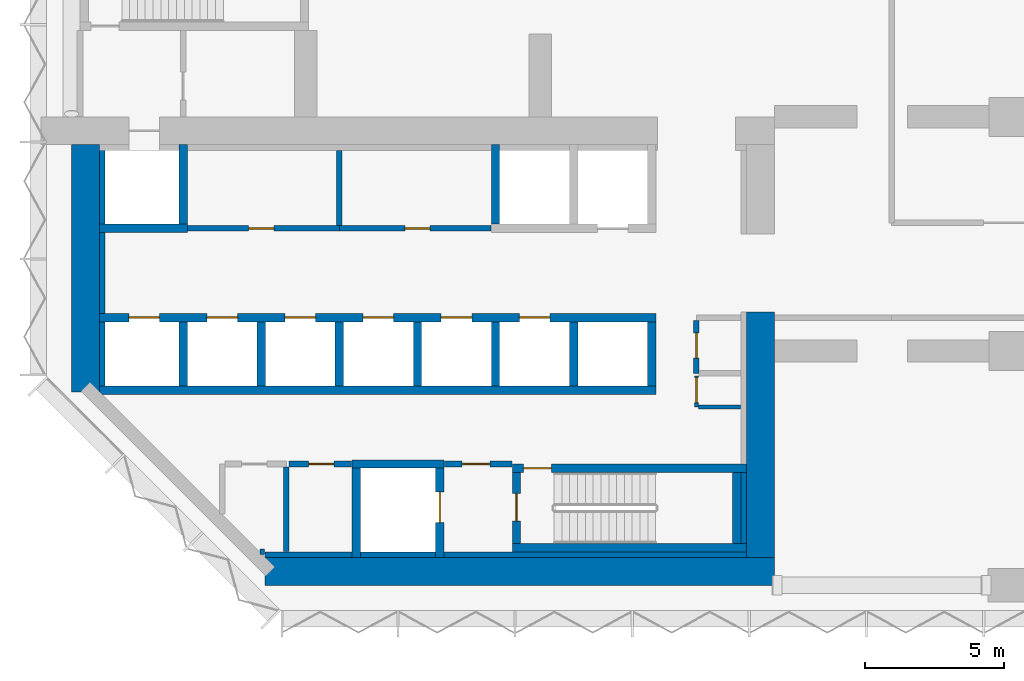
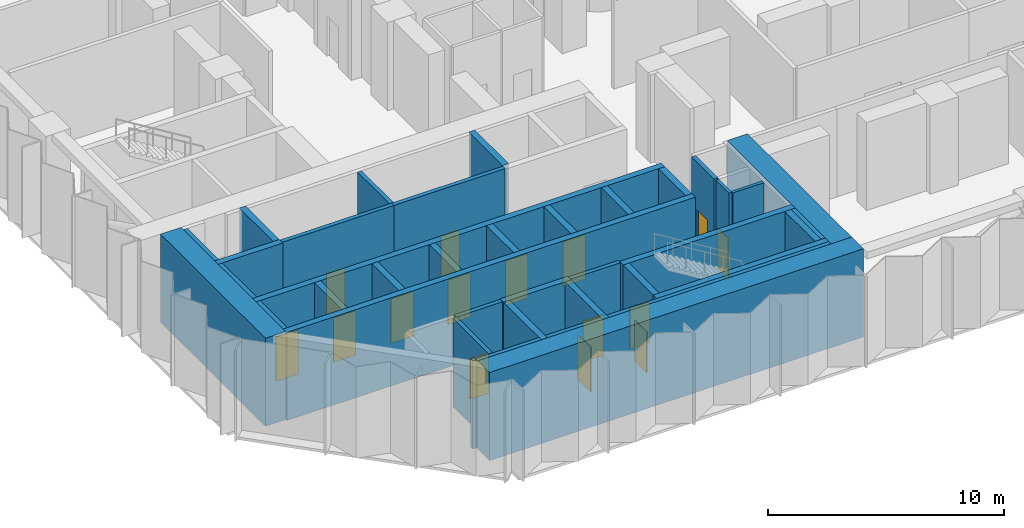
# One storey, part 9 of 18: 39 walls, 15 doors, 15 openings.
"""IFC4 building model written with IfcOpenShell, lengths in metres."""

from ifc_helpers import new_model, si_unit, direction, frame, frame_2d, origin, place, context, subcontext, project, spatial, rectangle, extrude, material, layer, layer_set, type_object, element, fill, save


model = new_model("IFC4")

# Units and contexts
model_context = context("Model", 3, precision=1e-05, world=origin(), true_north=direction((0.0, 1.0)))
body_context = subcontext(model_context, "Body", "Model", "MODEL_VIEW")
ifc_project = project(units=[si_unit("LENGTHUNIT", "METRE"), si_unit("AREAUNIT", "SQUARE_METRE"), si_unit("VOLUMEUNIT", "CUBIC_METRE"), si_unit("PLANEANGLEUNIT", "RADIAN"), si_unit("MASSUNIT", "GRAM", prefix="KILO")], contexts=[model_context])

# Site, building, storey
site_placement = place(None, origin())
site = spatial("IfcSite", under=ifc_project, at=site_placement, CompositionType="ELEMENT")
building_placement = place(site_placement, origin())
building = spatial("IfcBuilding", under=site, at=building_placement, Name="Brevane Broadcast Tower", CompositionType="ELEMENT")
storey_placement = place(building_placement, frame((0.0, 0.0, 86.89990234375)))
storey = spatial("IfcBuildingStorey", under=building, at=storey_placement, Name="L20", CompositionType="ELEMENT", Elevation=86.89990234375)

# Walls
ifc_material_1 = material(Name="Concrete C32/40", Category="concrete")
ifc_layer_1 = layer(ifc_material_1, 0.199951171875)
ifc_layer_set_1 = layer_set([ifc_layer_1], Name="Core chase wall 200 mm")
wall_type_1 = type_object("IfcWallType", Name="Core chase wall 200 mm", PredefinedType="PARTITIONING", material=ifc_layer_set_1)
wall_1_placement = place(storey_placement, frame((1.10009765625, 7.14990234375, 0.0), z_axis=(0.0, 0.0, 1.0), x_axis=(0.0, 1.0, 0.0)))
element("IfcWall", 1, at=wall_1_placement, inside=storey, type_object=wall_type_1, Name="L20 chase wall LW-2-1", PredefinedType="PARTITIONING", context=body_context, shape_type="SweptSolid", body=[
    extrude(rectangle(XDim=2.300048828125, YDim=0.199951171875, at=frame_2d((1.14990234375, 0.0))), origin(), (0.0, 0.0, 1.0), 4.550048828125),
])
wall_2_placement = place(storey_placement, frame((1.10009765625, 9.75, 0.0), z_axis=(0.0, 0.0, 1.0), x_axis=(0.0, 1.0, 0.0)))
element("IfcWall", 2, at=wall_2_placement, inside=storey, type_object=wall_type_1, Name="L20 chase wall LW-2-2-1", PredefinedType="PARTITIONING", context=body_context, shape_type="SweptSolid", body=[
    extrude(rectangle(XDim=2.89990234375, YDim=0.199951171875, at=frame_2d((1.449951171875, 0.0))), origin(), (0.0, 0.0, 1.0), 4.550048828125),
])
wall_3_placement = place(storey_placement, frame((1.10009765625, 12.949951171875, 0.0), z_axis=(0.0, 0.0, 1.0), x_axis=(0.0, 1.0, 0.0)))
element("IfcWall", 3, at=wall_3_placement, inside=storey, type_object=wall_type_1, Name="L20 chase wall LW-2-2-2", PredefinedType="PARTITIONING", context=body_context, shape_type="SweptSolid", body=[
    extrude(rectangle(XDim=2.650146484375, YDim=0.199951171875, at=frame_2d((1.3251953125, 0.0))), origin(), (0.0, 0.0, 1.0), 4.550048828125),
])
wall_4_placement = place(storey_placement, frame((6.936279296875, 1.10009765625, 0.0), z_axis=(0.0, 0.0, 1.0), x_axis=(1.0, 0.0, 0.0)))
element("IfcWall", 4, at=wall_4_placement, inside=storey, type_object=wall_type_1, Name="L20 chase wall LS-1", PredefinedType="PARTITIONING", context=body_context, shape_type="SweptSolid", body=[
    extrude(rectangle(XDim=3.11376953125, YDim=0.199951171875, at=frame_2d((1.556884765625, 0.0))), origin(), (0.0, 0.0, 1.0), 4.550048828125),
])
wall_5_placement = place(storey_placement, frame((10.35009765625, 1.10009765625, 0.0), z_axis=(0.0, 0.0, 1.0), x_axis=(1.0, 0.0, 0.0)))
element("IfcWall", 5, at=wall_5_placement, inside=storey, type_object=wall_type_1, Name="L20 chase wall LS-2-1", PredefinedType="PARTITIONING", context=body_context, shape_type="SweptSolid", body=[
    extrude(rectangle(XDim=2.699951171875, YDim=0.199951171875, at=frame_2d((1.35009765625, 0.0))), origin(), (0.0, 0.0, 1.0), 4.550048828125),
])
wall_6_placement = place(storey_placement, frame((13.35009765625, 1.10009765625, 0.0), z_axis=(0.0, 0.0, 1.0), x_axis=(1.0, 0.0, 0.0)))
element("IfcWall", 6, at=wall_6_placement, inside=storey, type_object=wall_type_1, Name="L20 chase wall LS-2-2", PredefinedType="PARTITIONING", context=body_context, shape_type="SweptSolid", body=[
    extrude(rectangle(XDim=10.849853515625, YDim=0.199951171875, at=frame_2d((5.4248046875, 0.0))), origin(), (0.0, 0.0, 1.0), 4.550048828125),
])
wall_7_placement = place(storey_placement, frame((24.10009765625, 1.5, 0.0), z_axis=(0.0, 0.0, 1.0), x_axis=(0.0, 1.0, 0.0)))
element("IfcWall", 7, at=wall_7_placement, inside=storey, type_object=wall_type_1, Name="L20 chase wall LE1-2-1", PredefinedType="PARTITIONING", context=body_context, shape_type="SweptSolid", body=[
    extrude(rectangle(XDim=2.550048828125, YDim=0.199951171875, at=frame_2d((1.27490234375, 0.0))), origin(), (0.0, 0.0, 1.0), 4.550048828125),
])

# Wall, opening, door
ifc_material_2 = material(Name="Gypsum board on steel studs", Category="steel")
ifc_layer_2 = layer(ifc_material_2, 0.14990234375)
ifc_layer_set_2 = layer_set([ifc_layer_2], Name="Core fire partition 150 mm")
wall_type_2 = type_object("IfcWallType", Name="Core fire partition 150 mm", PredefinedType="PARTITIONING", material=ifc_layer_set_2)
wall_8_placement = place(storey_placement, frame((22.39990234375, 7.5, 0.0), z_axis=(0.0, 0.0, 1.0), x_axis=(0.0, -1.0, 0.0)))
wall_8 = element("IfcWall", 8, at=wall_8_placement, inside=storey, type_object=wall_type_2, Name="L20 partition wall P22", PredefinedType="PARTITIONING", context=body_context, shape_type="SweptSolid", body=[
    extrude(rectangle(XDim=1.10009765625, YDim=0.14990234375, at=frame_2d((0.550048828125, 0.0))), origin(), (0.0, 0.0, 1.0), 4.550048828125),
])
opening_1_placement = place(wall_8_placement, frame((0.050048828125, 0.0, 0.0)))
opening_1 = element("IfcOpeningElement", 9, at=opening_1_placement, cuts=wall_8, Name="Opening L20-K19", PredefinedType="OPENING", context=body_context, shape_type="SweptSolid", body=[
    extrude(rectangle(XDim=0.89990234375, YDim=2.10009765625, at=frame_2d((0.449951171875, 1.050048828125))), frame((0.0, 0.0849609375, 0.0), z_axis=(0.0, -1.0, 0.0), x_axis=(1.0, 0.0, 0.0)), (0.0, 0.0, 1.0), 0.169921875),
])
ifc_material_3 = material(Name="Steel", Category="steel")
door_type_1 = type_object("IfcDoorType", Name="Service room door 900 x 2100", OperationType="SINGLE_SWING_LEFT", PredefinedType="DOOR", material=ifc_material_3)
door_1_placement = place(opening_1_placement, origin())
door_1 = element("IfcDoor", 10, at=door_1_placement, inside=storey, type_object=door_type_1, Name="Door L20-K19", OperationType="SINGLE_SWING_LEFT", OverallHeight=2.10009765625, OverallWidth=0.89990234375, PredefinedType="DOOR", context=body_context, shape_type="SweptSolid", body=[
    extrude(rectangle(XDim=0.89990234375, YDim=2.10009765625, at=frame_2d((0.449951171875, 1.050048828125))), frame((0.0, 0.02490234375, 0.0), z_axis=(0.0, -1.0, 0.0), x_axis=(1.0, 0.0, 0.0)), (0.0, 0.0, 1.0), 0.050048828125),
])
fill(opening_1, door_1)

# Wall
wall_9_placement = place(storey_placement, frame((22.47509765625, 6.39990234375, 0.0), z_axis=(0.0, 0.0, 1.0), x_axis=(1.0, 0.0, 0.0)))
element("IfcWall", 11, at=wall_9_placement, inside=storey, type_object=wall_type_2, Name="L20 partition wall P23", PredefinedType="PARTITIONING", context=body_context, shape_type="SweptSolid", body=[
    extrude(rectangle(XDim=1.512939453125, YDim=0.14990234375, at=frame_2d((0.75634765625, 0.0))), origin(), (0.0, 0.0, 1.0), 4.550048828125),
])

# Wall, opening, door
ifc_layer_3 = layer(ifc_material_2, 0.199951171875)
ifc_layer_set_3 = layer_set([ifc_layer_3], Name="Core fire partition 200 mm")
wall_type_3 = type_object("IfcWallType", Name="Core fire partition 200 mm", PredefinedType="PARTITIONING", material=ifc_layer_set_3)
wall_10_placement = place(storey_placement, frame((13.362060546875, 4.35009765625, 0.0), z_axis=(0.0, 0.0, 1.0), x_axis=(1.0, 0.0, 0.0)))
wall_10 = element("IfcWall", 12, at=wall_10_placement, inside=storey, type_object=wall_type_3, Name="L20 partition wall P03", PredefinedType="PARTITIONING", context=body_context, shape_type="SweptSolid", body=[
    extrude(rectangle(XDim=2.426025390625, YDim=0.199951171875, at=frame_2d((1.212890625, 0.0))), origin(), (0.0, 0.0, 1.0), 4.550048828125),
])
opening_2_placement = place(wall_10_placement, frame((0.637939453125, 0.0, 0.0)))
opening_2 = element("IfcOpeningElement", 13, at=opening_2_placement, cuts=wall_10, Name="Opening L20-K18", PredefinedType="OPENING", context=body_context, shape_type="SweptSolid", body=[
    extrude(rectangle(XDim=1.0, YDim=2.10009765625, at=frame_2d((0.5, 1.050048828125))), frame((0.0, 0.10986328125, 0.0), z_axis=(0.0, -1.0, 0.0), x_axis=(1.0, 0.0, 0.0)), (0.0, 0.0, 1.0), 0.219970703125),
])
door_type_2 = type_object("IfcDoorType", Name="Stair door 1000 x 2100", OperationType="SINGLE_SWING_LEFT", PredefinedType="DOOR", material=ifc_material_3)
door_2_placement = place(opening_2_placement, origin())
door_2 = element("IfcDoor", 14, at=door_2_placement, inside=storey, type_object=door_type_2, Name="Door L20-K18", OperationType="SINGLE_SWING_RIGHT", OverallHeight=2.10009765625, OverallWidth=1.0, PredefinedType="DOOR", context=body_context, shape_type="SweptSolid", body=[
    extrude(rectangle(XDim=1.0, YDim=2.10009765625, at=frame_2d((0.5, 1.050048828125))), frame((0.0, 0.02490234375, 0.0), z_axis=(0.0, -1.0, 0.0), x_axis=(1.0, 0.0, 0.0)), (0.0, 0.0, 1.0), 0.050048828125),
])
fill(opening_2, door_2)

wall_11_placement = place(storey_placement, frame((4.162109375, 12.800048828125, 0.0), z_axis=(0.0, 0.0, 1.0), x_axis=(1.0, 0.0, 0.0)))
wall_11 = element("IfcWall", 15, at=wall_11_placement, inside=storey, type_object=wall_type_3, Name="L20 partition wall P04", PredefinedType="PARTITIONING", context=body_context, shape_type="SweptSolid", body=[
    extrude(rectangle(XDim=5.43798828125, YDim=0.199951171875, at=frame_2d((2.718994140625, 0.0))), origin(), (0.0, 0.0, 1.0), 4.550048828125),
])
opening_3_placement = place(wall_11_placement, frame((2.18798828125, 0.0, 0.0)))
opening_3 = element("IfcOpeningElement", 16, at=opening_3_placement, cuts=wall_11, Name="Opening L20-K21", PredefinedType="OPENING", context=body_context, shape_type="SweptSolid", body=[
    extrude(rectangle(XDim=0.89990234375, YDim=2.10009765625, at=frame_2d((0.449951171875, 1.050048828125))), frame((0.0, 0.10986328125, 0.0), z_axis=(0.0, -1.0, 0.0), x_axis=(1.0, 0.0, 0.0)), (0.0, 0.0, 1.0), 0.219970703125),
])
door_3_placement = place(opening_3_placement, origin())
door_3 = element("IfcDoor", 17, at=door_3_placement, inside=storey, type_object=door_type_1, Name="Door L20-K21", OperationType="SINGLE_SWING_LEFT", OverallHeight=2.10009765625, OverallWidth=0.89990234375, PredefinedType="DOOR", context=body_context, shape_type="SweptSolid", body=[
    extrude(rectangle(XDim=0.89990234375, YDim=2.10009765625, at=frame_2d((0.449951171875, 1.050048828125))), frame((0.0, 0.02490234375, 0.0), z_axis=(0.0, -1.0, 0.0), x_axis=(1.0, 0.0, 0.0)), (0.0, 0.0, 1.0), 0.050048828125),
])
fill(opening_3, door_3)

# Walls
wall_12_placement = place(storey_placement, frame((7.699951171875, 4.25, 0.0), z_axis=(0.0, 0.0, 1.0), x_axis=(0.0, -1.0, 0.0)))
element("IfcWall", 18, at=wall_12_placement, inside=storey, type_object=wall_type_3, Name="L20 partition wall P07", PredefinedType="PARTITIONING", context=body_context, shape_type="SweptSolid", body=[
    extrude(rectangle(XDim=3.0380859375, YDim=0.199951171875, at=frame_2d((1.51904296875, 0.0))), origin(), (0.0, 0.0, 1.0), 4.550048828125),
])
wall_13_placement = place(storey_placement, frame((6.92431640625, 1.199951171875, 0.0), z_axis=(0.0, 0.0, 1.0), x_axis=(-1.0, 0.0, 0.0)))
element("IfcWall", 19, at=wall_13_placement, inside=storey, type_object=wall_type_3, Name="L20 partition wall P08", PredefinedType="PARTITIONING", context=body_context, shape_type="SweptSolid", body=[
    extrude(rectangle(XDim=0.1708984375, YDim=0.199951171875, at=frame_2d((0.08544921875, 0.0))), origin(), (0.0, 0.0, 1.0), 4.550048828125),
])

# Wall, opening, door
wall_14_placement = place(storey_placement, frame((10.0380859375, 4.35009765625, 0.0), z_axis=(0.0, 0.0, 1.0), x_axis=(-1.0, 0.0, 0.0)))
wall_14 = element("IfcWall", 20, at=wall_14_placement, inside=storey, type_object=wall_type_3, Name="L20 partition wall P09", PredefinedType="PARTITIONING", context=body_context, shape_type="SweptSolid", body=[
    extrude(rectangle(XDim=2.238037109375, YDim=0.199951171875, at=frame_2d((1.119140625, 0.0))), origin(), (0.0, 0.0, 1.0), 4.550048828125),
])
opening_4_placement = place(wall_14_placement, frame((0.637939453125, 0.0, 0.0)))
opening_4 = element("IfcOpeningElement", 21, at=opening_4_placement, cuts=wall_14, Name="Opening L20-K17", PredefinedType="OPENING", context=body_context, shape_type="SweptSolid", body=[
    extrude(rectangle(XDim=0.89990234375, YDim=2.10009765625, at=frame_2d((0.449951171875, 1.050048828125))), frame((0.0, 0.10986328125, 0.0), z_axis=(0.0, -1.0, 0.0), x_axis=(1.0, 0.0, 0.0)), (0.0, 0.0, 1.0), 0.219970703125),
])
door_4_placement = place(opening_4_placement, origin())
door_4 = element("IfcDoor", 22, at=door_4_placement, inside=storey, type_object=door_type_1, Name="Door L20-K17", OperationType="SINGLE_SWING_LEFT", OverallHeight=2.10009765625, OverallWidth=0.89990234375, PredefinedType="DOOR", context=body_context, shape_type="SweptSolid", body=[
    extrude(rectangle(XDim=0.89990234375, YDim=2.10009765625, at=frame_2d((0.449951171875, 1.050048828125))), frame((0.0, 0.02490234375, 0.0), z_axis=(0.0, -1.0, 0.0), x_axis=(1.0, 0.0, 0.0)), (0.0, 0.0, 1.0), 0.050048828125),
])
fill(opening_4, door_4)

wall_15_placement = place(storey_placement, frame((9.60009765625, 12.800048828125, 0.0), z_axis=(0.0, 0.0, 1.0), x_axis=(1.0, 0.0, 0.0)))
wall_15 = element("IfcWall", 23, at=wall_15_placement, inside=storey, type_object=wall_type_3, Name="L20 partition wall P10", PredefinedType="PARTITIONING", context=body_context, shape_type="SweptSolid", body=[
    extrude(rectangle(XDim=5.43798828125, YDim=0.199951171875, at=frame_2d((2.718994140625, 0.0))), origin(), (0.0, 0.0, 1.0), 4.550048828125),
])
opening_5_placement = place(wall_15_placement, frame((2.35009765625, 0.0, 0.0)))
opening_5 = element("IfcOpeningElement", 24, at=opening_5_placement, cuts=wall_15, Name="Opening L20-K22", PredefinedType="OPENING", context=body_context, shape_type="SweptSolid", body=[
    extrude(rectangle(XDim=0.89990234375, YDim=2.10009765625, at=frame_2d((0.449951171875, 1.050048828125))), frame((0.0, 0.10986328125, 0.0), z_axis=(0.0, -1.0, 0.0), x_axis=(1.0, 0.0, 0.0)), (0.0, 0.0, 1.0), 0.219970703125),
])
door_5_placement = place(opening_5_placement, origin())
door_5 = element("IfcDoor", 25, at=door_5_placement, inside=storey, type_object=door_type_1, Name="Door L20-K22", OperationType="SINGLE_SWING_RIGHT", OverallHeight=2.10009765625, OverallWidth=0.89990234375, PredefinedType="DOOR", context=body_context, shape_type="SweptSolid", body=[
    extrude(rectangle(XDim=0.89990234375, YDim=2.10009765625, at=frame_2d((0.449951171875, 1.050048828125))), frame((0.0, 0.02490234375, 0.0), z_axis=(0.0, -1.0, 0.0), x_axis=(1.0, 0.0, 0.0)), (0.0, 0.0, 1.0), 0.050048828125),
])
fill(opening_5, door_5)

# Wall
wall_16_placement = place(storey_placement, frame((9.60009765625, 15.587890625, 0.0), z_axis=(0.0, 0.0, 1.0), x_axis=(0.0, -1.0, 0.0)))
element("IfcWall", 26, at=wall_16_placement, inside=storey, type_object=wall_type_3, Name="L20 partition wall P11", PredefinedType="PARTITIONING", context=body_context, shape_type="SweptSolid", body=[
    extrude(rectangle(XDim=2.68798828125, YDim=0.199951171875, at=frame_2d((1.343994140625, 0.0))), origin(), (0.0, 0.0, 1.0), 4.550048828125),
])

# Wall, opening, door
wall_17_placement = place(storey_placement, frame((22.39990234375, 9.5, 0.0), z_axis=(0.0, 0.0, 1.0), x_axis=(0.0, -1.0, 0.0)))
wall_17 = element("IfcWall", 27, at=wall_17_placement, inside=storey, type_object=wall_type_3, Name="L20 partition wall P13", PredefinedType="PARTITIONING", context=body_context, shape_type="SweptSolid", body=[
    extrude(rectangle(XDim=1.89990234375, YDim=0.199951171875, at=frame_2d((0.949951171875, 0.0))), origin(), (0.0, 0.0, 1.0), 4.550048828125),
])
opening_6_placement = place(wall_17_placement, frame((0.449951171875, 0.0, 0.0)))
opening_6 = element("IfcOpeningElement", 28, at=opening_6_placement, cuts=wall_17, Name="Opening L20-K20", PredefinedType="OPENING", context=body_context, shape_type="SweptSolid", body=[
    extrude(rectangle(XDim=0.89990234375, YDim=2.10009765625, at=frame_2d((0.449951171875, 1.050048828125))), frame((0.0, 0.10986328125, 0.0), z_axis=(0.0, -1.0, 0.0), x_axis=(1.0, 0.0, 0.0)), (0.0, 0.0, 1.0), 0.219970703125),
])
door_6_placement = place(opening_6_placement, origin())
door_6 = element("IfcDoor", 29, at=door_6_placement, inside=storey, type_object=door_type_1, Name="Door L20-K20", OperationType="SINGLE_SWING_RIGHT", OverallHeight=2.10009765625, OverallWidth=0.89990234375, PredefinedType="DOOR", context=body_context, shape_type="SweptSolid", body=[
    extrude(rectangle(XDim=0.89990234375, YDim=2.10009765625, at=frame_2d((0.449951171875, 1.050048828125))), frame((0.0, 0.02490234375, 0.0), z_axis=(0.0, -1.0, 0.0), x_axis=(1.0, 0.0, 0.0)), (0.0, 0.0, 1.0), 0.050048828125),
])
fill(opening_6, door_6)

# Walls
ifc_material_4 = material(Name="Concrete C80/95", Category="concrete")
ifc_layer_4 = layer(ifc_material_4, 1.0)
ifc_layer_set_4 = layer_set([ifc_layer_4], Name="Core wall 1000 mm C80/95")
wall_type_4 = type_object("IfcWallType", Name="Core wall 1000 mm C80/95", PredefinedType="SHEAR", material=ifc_layer_set_4)
wall_18_placement = place(storey_placement, frame((6.936279296875, 0.5, 0.0), z_axis=(0.0, 0.0, 1.0), x_axis=(1.0, 0.0, 0.0)))
element("IfcWall", 30, at=wall_18_placement, inside=storey, type_object=wall_type_4, Name="L20 outer wall WS", PredefinedType="SHEAR", context=body_context, shape_type="SweptSolid", body=[
    extrude(rectangle(XDim=18.263671875, YDim=1.0, at=frame_2d((9.1318359375, 0.0))), origin(), (0.0, 0.0, 1.0), 4.550048828125),
])
wall_19_placement = place(storey_placement, frame((0.5, 6.936279296875, 0.0), z_axis=(0.0, 0.0, 1.0), x_axis=(0.0, 1.0, 0.0)))
element("IfcWall", 31, at=wall_19_placement, inside=storey, type_object=wall_type_4, Name="L20 outer wall WW", PredefinedType="SHEAR", context=body_context, shape_type="SweptSolid", body=[
    extrude(rectangle(XDim=8.86376953125, YDim=1.0, at=frame_2d((4.431884765625, 0.0))), origin(), (0.0, 0.0, 1.0), 4.550048828125),
])
wall_20_placement = place(storey_placement, frame((24.699951171875, 1.0, 0.0), z_axis=(0.0, 0.0, 1.0), x_axis=(0.0, 1.0, 0.0)))
element("IfcWall", 32, at=wall_20_placement, inside=storey, type_object=wall_type_4, Name="L20 outer wall WE1", PredefinedType="SHEAR", context=body_context, shape_type="SweptSolid", body=[
    extrude(rectangle(XDim=8.800048828125, YDim=1.0, at=frame_2d((4.39990234375, 0.0))), origin(), (0.0, 0.0, 1.0), 4.550048828125),
])
ifc_layer_5 = layer(ifc_material_4, 0.300048828125)
ifc_layer_set_5 = layer_set([ifc_layer_5], Name="Core wall 300 mm C80/95")
wall_type_5 = type_object("IfcWallType", Name="Core wall 300 mm C80/95", PredefinedType="SHEAR", material=ifc_layer_set_5)
wall_21_placement = place(storey_placement, frame((1.0, 7.0, 0.0), z_axis=(0.0, 0.0, 1.0), x_axis=(1.0, 0.0, 0.0)))
element("IfcWall", 33, at=wall_21_placement, inside=storey, type_object=wall_type_5, Name="L20 shaft wall SH-S012-back", PredefinedType="SHEAR", context=body_context, shape_type="SweptSolid", body=[
    extrude(rectangle(XDim=19.949951171875, YDim=0.300048828125, at=frame_2d((9.97509765625, 0.0))), origin(), (0.0, 0.0, 1.0), 4.550048828125),
])

# Wall, openings, doors
wall_22_placement = place(storey_placement, frame((1.0, 9.60009765625, 0.0), z_axis=(0.0, 0.0, 1.0), x_axis=(1.0, 0.0, 0.0)))
wall_22 = element("IfcWall", 34, at=wall_22_placement, inside=storey, type_object=wall_type_5, Name="L20 shaft wall SH-S012-front", PredefinedType="SHEAR", context=body_context, shape_type="SweptSolid", body=[
    extrude(rectangle(XDim=19.949951171875, YDim=0.300048828125, at=frame_2d((9.97509765625, 0.0))), origin(), (0.0, 0.0, 1.0), 4.550048828125),
])
opening_7_placement = place(wall_22_placement, frame((1.050048828125, 0.0, 0.0)))
opening_7 = element("IfcOpeningElement", 35, at=opening_7_placement, cuts=wall_22, Name="Opening LD", PredefinedType="OPENING", context=body_context, shape_type="SweptSolid", body=[
    extrude(rectangle(XDim=1.10009765625, YDim=2.300048828125, at=frame_2d((0.550048828125, 1.14990234375))), frame((0.0, 0.159912109375, 0.0), z_axis=(0.0, -1.0, 0.0), x_axis=(1.0, 0.0, 0.0)), (0.0, 0.0, 1.0), 0.320068359375),
])
opening_8_placement = place(wall_22_placement, frame((3.85009765625, 0.0, 0.0)))
opening_8 = element("IfcOpeningElement", 36, at=opening_8_placement, cuts=wall_22, Name="Opening LD", PredefinedType="OPENING", context=body_context, shape_type="SweptSolid", body=[
    extrude(rectangle(XDim=1.10009765625, YDim=2.300048828125, at=frame_2d((0.550048828125, 1.14990234375))), frame((0.0, 0.159912109375, 0.0), z_axis=(0.0, -1.0, 0.0), x_axis=(1.0, 0.0, 0.0)), (0.0, 0.0, 1.0), 0.320068359375),
])
opening_9_placement = place(wall_22_placement, frame((6.64990234375, 0.0, 0.0)))
opening_9 = element("IfcOpeningElement", 37, at=opening_9_placement, cuts=wall_22, Name="Opening LD", PredefinedType="OPENING", context=body_context, shape_type="SweptSolid", body=[
    extrude(rectangle(XDim=1.10009765625, YDim=2.300048828125, at=frame_2d((0.550048828125, 1.14990234375))), frame((0.0, 0.159912109375, 0.0), z_axis=(0.0, -1.0, 0.0), x_axis=(1.0, 0.0, 0.0)), (0.0, 0.0, 1.0), 0.320068359375),
])
opening_10_placement = place(wall_22_placement, frame((9.449951171875, 0.0, 0.0)))
opening_10 = element("IfcOpeningElement", 38, at=opening_10_placement, cuts=wall_22, Name="Opening LD", PredefinedType="OPENING", context=body_context, shape_type="SweptSolid", body=[
    extrude(rectangle(XDim=1.10009765625, YDim=2.300048828125, at=frame_2d((0.550048828125, 1.14990234375))), frame((0.0, 0.159912109375, 0.0), z_axis=(0.0, -1.0, 0.0), x_axis=(1.0, 0.0, 0.0)), (0.0, 0.0, 1.0), 0.320068359375),
])
opening_11_placement = place(wall_22_placement, frame((12.25, 0.0, 0.0)))
opening_11 = element("IfcOpeningElement", 39, at=opening_11_placement, cuts=wall_22, Name="Opening LD", PredefinedType="OPENING", context=body_context, shape_type="SweptSolid", body=[
    extrude(rectangle(XDim=1.10009765625, YDim=2.300048828125, at=frame_2d((0.550048828125, 1.14990234375))), frame((0.0, 0.159912109375, 0.0), z_axis=(0.0, -1.0, 0.0), x_axis=(1.0, 0.0, 0.0)), (0.0, 0.0, 1.0), 0.320068359375),
])
opening_12_placement = place(wall_22_placement, frame((15.050048828125, 0.0, 0.0)))
opening_12 = element("IfcOpeningElement", 40, at=opening_12_placement, cuts=wall_22, Name="Opening LD", PredefinedType="OPENING", context=body_context, shape_type="SweptSolid", body=[
    extrude(rectangle(XDim=1.10009765625, YDim=2.300048828125, at=frame_2d((0.550048828125, 1.14990234375))), frame((0.0, 0.159912109375, 0.0), z_axis=(0.0, -1.0, 0.0), x_axis=(1.0, 0.0, 0.0)), (0.0, 0.0, 1.0), 0.320068359375),
])
ifc_material_5 = material(Name="Stainless steel", Category="steel")
door_type_3 = type_object("IfcDoorType", Name="Lift landing door", OperationType="SLIDING_TO_LEFT", PredefinedType="DOOR", material=ifc_material_5)
door_7_placement = place(opening_7_placement, origin())
door_7 = element("IfcDoor", 41, at=door_7_placement, inside=storey, type_object=door_type_3, Name="Landing door LR1 L20", OperationType="SLIDING_TO_LEFT", OverallHeight=2.300048828125, OverallWidth=1.10009765625, PredefinedType="DOOR", context=body_context, shape_type="SweptSolid", body=[
    extrude(rectangle(XDim=1.10009765625, YDim=2.300048828125, at=frame_2d((0.550048828125, 1.14990234375))), frame((0.0, 0.02490234375, 0.0), z_axis=(0.0, -1.0, 0.0), x_axis=(1.0, 0.0, 0.0)), (0.0, 0.0, 1.0), 0.050048828125),
])
fill(opening_7, door_7)
door_8_placement = place(opening_8_placement, origin())
door_8 = element("IfcDoor", 42, at=door_8_placement, inside=storey, type_object=door_type_3, Name="Landing door LR2 L20", OperationType="SLIDING_TO_LEFT", OverallHeight=2.300048828125, OverallWidth=1.10009765625, PredefinedType="DOOR", context=body_context, shape_type="SweptSolid", body=[
    extrude(rectangle(XDim=1.10009765625, YDim=2.300048828125, at=frame_2d((0.550048828125, 1.14990234375))), frame((0.0, 0.02490234375, 0.0), z_axis=(0.0, -1.0, 0.0), x_axis=(1.0, 0.0, 0.0)), (0.0, 0.0, 1.0), 0.050048828125),
])
fill(opening_8, door_8)
door_9_placement = place(opening_9_placement, origin())
door_9 = element("IfcDoor", 43, at=door_9_placement, inside=storey, type_object=door_type_3, Name="Landing door LR3 L20", OperationType="SLIDING_TO_LEFT", OverallHeight=2.300048828125, OverallWidth=1.10009765625, PredefinedType="DOOR", context=body_context, shape_type="SweptSolid", body=[
    extrude(rectangle(XDim=1.10009765625, YDim=2.300048828125, at=frame_2d((0.550048828125, 1.14990234375))), frame((0.0, 0.02490234375, 0.0), z_axis=(0.0, -1.0, 0.0), x_axis=(1.0, 0.0, 0.0)), (0.0, 0.0, 1.0), 0.050048828125),
])
fill(opening_9, door_9)
door_10_placement = place(opening_10_placement, origin())
door_10 = element("IfcDoor", 44, at=door_10_placement, inside=storey, type_object=door_type_3, Name="Landing door LR4 L20", OperationType="SLIDING_TO_LEFT", OverallHeight=2.300048828125, OverallWidth=1.10009765625, PredefinedType="DOOR", context=body_context, shape_type="SweptSolid", body=[
    extrude(rectangle(XDim=1.10009765625, YDim=2.300048828125, at=frame_2d((0.550048828125, 1.14990234375))), frame((0.0, 0.02490234375, 0.0), z_axis=(0.0, -1.0, 0.0), x_axis=(1.0, 0.0, 0.0)), (0.0, 0.0, 1.0), 0.050048828125),
])
fill(opening_10, door_10)
door_11_placement = place(opening_11_placement, origin())
door_11 = element("IfcDoor", 45, at=door_11_placement, inside=storey, type_object=door_type_3, Name="Landing door LR5 L20", OperationType="SLIDING_TO_LEFT", OverallHeight=2.300048828125, OverallWidth=1.10009765625, PredefinedType="DOOR", context=body_context, shape_type="SweptSolid", body=[
    extrude(rectangle(XDim=1.10009765625, YDim=2.300048828125, at=frame_2d((0.550048828125, 1.14990234375))), frame((0.0, 0.02490234375, 0.0), z_axis=(0.0, -1.0, 0.0), x_axis=(1.0, 0.0, 0.0)), (0.0, 0.0, 1.0), 0.050048828125),
])
fill(opening_11, door_11)
door_12_placement = place(opening_12_placement, origin())
door_12 = element("IfcDoor", 46, at=door_12_placement, inside=storey, type_object=door_type_3, Name="Landing door LR6 L20", OperationType="SLIDING_TO_LEFT", OverallHeight=2.300048828125, OverallWidth=1.10009765625, PredefinedType="DOOR", context=body_context, shape_type="SweptSolid", body=[
    extrude(rectangle(XDim=1.10009765625, YDim=2.300048828125, at=frame_2d((0.550048828125, 1.14990234375))), frame((0.0, 0.02490234375, 0.0), z_axis=(0.0, -1.0, 0.0), x_axis=(1.0, 0.0, 0.0)), (0.0, 0.0, 1.0), 0.050048828125),
])
fill(opening_12, door_12)

# Walls
for number, where, z_axis, x_axis, name in (
    (47, (4.0, 7.14990234375, 0.0), (0.0, 0.0, 1.0), (0.0, 1.0, 0.0), "L20 shaft wall SH-S-P040"),
    (48, (6.800048828125, 7.14990234375, 0.0), (0.0, 0.0, 1.0), (0.0, 1.0, 0.0), "L20 shaft wall SH-S-P068"),
    (49, (9.60009765625, 7.14990234375, 0.0), (0.0, 0.0, 1.0), (0.0, 1.0, 0.0), "L20 shaft wall SH-S-P096"),
    (50, (12.39990234375, 7.14990234375, 0.0), (0.0, 0.0, 1.0), (0.0, 1.0, 0.0), "L20 shaft wall SH-S-P124"),
    (51, (15.199951171875, 7.14990234375, 0.0), (0.0, 0.0, 1.0), (0.0, 1.0, 0.0), "L20 shaft wall SH-S-P152"),
    (52, (18.0, 7.14990234375, 0.0), (0.0, 0.0, 1.0), (0.0, 1.0, 0.0), "L20 shaft wall SH-S-P180"),
    (53, (20.800048828125, 7.14990234375, 0.0), (0.0, 0.0, 1.0), (0.0, 1.0, 0.0), "L20 shaft wall SH-S-P208"),
):
    element("IfcWall", number, at=place(storey_placement, frame(where, z_axis=z_axis, x_axis=x_axis)), inside=storey, type_object=wall_type_5, Name=name, PredefinedType="SHEAR", context=body_context, shape_type="SweptSolid", body=[
        extrude(rectangle(XDim=2.300048828125, YDim=0.300048828125, at=frame_2d((1.14990234375, 0.0))), origin(), (0.0, 0.0, 1.0), 4.550048828125),
    ])
wall_23_placement = place(storey_placement, frame((1.0, 12.800048828125, 0.0), z_axis=(0.0, 0.0, 1.0), x_axis=(1.0, 0.0, 0.0)))
element("IfcWall", 54, at=wall_23_placement, inside=storey, type_object=wall_type_5, Name="L20 shaft wall SH-N012-front", PredefinedType="SHEAR", context=body_context, shape_type="SweptSolid", body=[
    extrude(rectangle(XDim=3.14990234375, YDim=0.300048828125, at=frame_2d((1.574951171875, 0.0))), origin(), (0.0, 0.0, 1.0), 4.550048828125),
])
for number, where, z_axis, x_axis, name in (
    (55, (4.0, 12.949951171875, 0.0), (0.0, 0.0, 1.0), (0.0, 1.0, 0.0), "L20 shaft wall SH-N-P040"),
    (56, (15.199951171875, 12.949951171875, 0.0), (0.0, 0.0, 1.0), (0.0, 1.0, 0.0), "L20 shaft wall SH-N-P152"),
):
    element("IfcWall", number, at=place(storey_placement, frame(where, z_axis=z_axis, x_axis=x_axis)), inside=storey, type_object=wall_type_5, Name=name, PredefinedType="SHEAR", context=body_context, shape_type="SweptSolid", body=[
        extrude(rectangle(XDim=2.85009765625, YDim=0.300048828125, at=frame_2d((1.425048828125, 0.0))), origin(), (0.0, 0.0, 1.0), 4.550048828125),
    ])
wall_24_placement = place(storey_placement, frame((10.199951171875, 1.0, 0.0), z_axis=(0.0, 0.0, 1.0), x_axis=(0.0, 1.0, 0.0)))
element("IfcWall", 57, at=wall_24_placement, inside=storey, type_object=wall_type_5, Name="L20 shaft wall FF2-W", PredefinedType="SHEAR", context=body_context, shape_type="SweptSolid", body=[
    extrude(rectangle(XDim=3.199951171875, YDim=0.300048828125, at=frame_2d((1.60009765625, 0.0))), origin(), (0.0, 0.0, 1.0), 4.550048828125),
])

# Wall, opening, door
wall_25_placement = place(storey_placement, frame((13.199951171875, 1.0, 0.0), z_axis=(0.0, 0.0, 1.0), x_axis=(0.0, 1.0, 0.0)))
wall_25 = element("IfcWall", 58, at=wall_25_placement, inside=storey, type_object=wall_type_5, Name="L20 shaft wall FF2-E", PredefinedType="SHEAR", context=body_context, shape_type="SweptSolid", body=[
    extrude(rectangle(XDim=3.199951171875, YDim=0.300048828125, at=frame_2d((1.60009765625, 0.0))), origin(), (0.0, 0.0, 1.0), 4.550048828125),
])
opening_13_placement = place(wall_25_placement, frame((1.25, 0.0, 0.0)))
opening_13 = element("IfcOpeningElement", 59, at=opening_13_placement, cuts=wall_25, Name="Opening LD", PredefinedType="OPENING", context=body_context, shape_type="SweptSolid", body=[
    extrude(rectangle(XDim=1.10009765625, YDim=2.300048828125, at=frame_2d((0.550048828125, 1.14990234375))), frame((0.0, 0.159912109375, 0.0), z_axis=(0.0, -1.0, 0.0), x_axis=(1.0, 0.0, 0.0)), (0.0, 0.0, 1.0), 0.320068359375),
])
door_13_placement = place(opening_13_placement, origin())
door_13 = element("IfcDoor", 60, at=door_13_placement, inside=storey, type_object=door_type_3, Name="Landing door FF2 L20", OperationType="SLIDING_TO_LEFT", OverallHeight=2.300048828125, OverallWidth=1.10009765625, PredefinedType="DOOR", context=body_context, shape_type="SweptSolid", body=[
    extrude(rectangle(XDim=1.10009765625, YDim=2.300048828125, at=frame_2d((0.550048828125, 1.14990234375))), frame((0.0, 0.02490234375, 0.0), z_axis=(0.0, -1.0, 0.0), x_axis=(1.0, 0.0, 0.0)), (0.0, 0.0, 1.0), 0.050048828125),
])
fill(opening_13, door_13)

# Walls
wall_26_placement = place(storey_placement, frame((10.050048828125, 4.35009765625, 0.0), z_axis=(0.0, 0.0, 1.0), x_axis=(1.0, 0.0, 0.0)))
element("IfcWall", 61, at=wall_26_placement, inside=storey, type_object=wall_type_5, Name="L20 shaft wall FF2-N", PredefinedType="SHEAR", context=body_context, shape_type="SweptSolid", body=[
    extrude(rectangle(XDim=3.300048828125, YDim=0.300048828125, at=frame_2d((1.64990234375, 0.0))), origin(), (0.0, 0.0, 1.0), 4.550048828125),
])
wall_27_placement = place(storey_placement, frame((15.800048828125, 1.35009765625, 0.0), z_axis=(0.0, 0.0, 1.0), x_axis=(1.0, 0.0, 0.0)))
element("IfcWall", 62, at=wall_27_placement, inside=storey, type_object=wall_type_5, Name="L20 stair wall ST-2-S", PredefinedType="SHEAR", context=body_context, shape_type="SweptSolid", body=[
    extrude(rectangle(XDim=8.39990234375, YDim=0.300048828125, at=frame_2d((4.199951171875, 0.0))), origin(), (0.0, 0.0, 1.0), 4.550048828125),
])

# Wall, opening, door
wall_28_placement = place(storey_placement, frame((15.800048828125, 4.199951171875, 0.0), z_axis=(0.0, 0.0, 1.0), x_axis=(1.0, 0.0, 0.0)))
wall_28 = element("IfcWall", 63, at=wall_28_placement, inside=storey, type_object=wall_type_5, Name="L20 stair wall ST-2-N", PredefinedType="SHEAR", context=body_context, shape_type="SweptSolid", body=[
    extrude(rectangle(XDim=8.39990234375, YDim=0.300048828125, at=frame_2d((4.199951171875, 0.0))), origin(), (0.0, 0.0, 1.0), 4.550048828125),
])
opening_14_placement = place(wall_28_placement, frame((0.39990234375, 0.0, 0.0)))
opening_14 = element("IfcOpeningElement", 64, at=opening_14_placement, cuts=wall_28, Name="Opening L20-K13", PredefinedType="OPENING", context=body_context, shape_type="SweptSolid", body=[
    extrude(rectangle(XDim=1.0, YDim=2.10009765625, at=frame_2d((0.5, 1.050048828125))), frame((0.0, 0.159912109375, 0.0), z_axis=(0.0, -1.0, 0.0), x_axis=(1.0, 0.0, 0.0)), (0.0, 0.0, 1.0), 0.320068359375),
])
door_14_placement = place(opening_14_placement, origin())
door_14 = element("IfcDoor", 65, at=door_14_placement, inside=storey, type_object=door_type_2, Name="Door L20-K13", OperationType="SINGLE_SWING_LEFT", OverallHeight=2.10009765625, OverallWidth=1.0, PredefinedType="DOOR", context=body_context, shape_type="SweptSolid", body=[
    extrude(rectangle(XDim=1.0, YDim=2.10009765625, at=frame_2d((0.5, 1.050048828125))), frame((0.0, 0.02490234375, 0.0), z_axis=(0.0, -1.0, 0.0), x_axis=(1.0, 0.0, 0.0)), (0.0, 0.0, 1.0), 0.050048828125),
])
fill(opening_14, door_14)

wall_29_placement = place(storey_placement, frame((15.949951171875, 1.5, 0.0), z_axis=(0.0, 0.0, 1.0), x_axis=(0.0, 1.0, 0.0)))
wall_29 = element("IfcWall", 66, at=wall_29_placement, inside=storey, type_object=wall_type_5, Name="L20 stair wall ST-2-W", PredefinedType="SHEAR", context=body_context, shape_type="SweptSolid", body=[
    extrude(rectangle(XDim=2.550048828125, YDim=0.300048828125, at=frame_2d((1.27490234375, 0.0))), origin(), (0.0, 0.0, 1.0), 4.550048828125),
])
opening_15_placement = place(wall_29_placement, frame((0.800048828125, 0.0, 0.0)))
opening_15 = element("IfcOpeningElement", 67, at=opening_15_placement, cuts=wall_29, Name="Opening L20-K12", PredefinedType="OPENING", context=body_context, shape_type="SweptSolid", body=[
    extrude(rectangle(XDim=1.0, YDim=2.10009765625, at=frame_2d((0.5, 1.050048828125))), frame((0.0, 0.159912109375, 0.0), z_axis=(0.0, -1.0, 0.0), x_axis=(1.0, 0.0, 0.0)), (0.0, 0.0, 1.0), 0.320068359375),
])
door_15_placement = place(opening_15_placement, origin())
door_15 = element("IfcDoor", 68, at=door_15_placement, inside=storey, type_object=door_type_2, Name="Door L20-K12", OperationType="SINGLE_SWING_RIGHT", OverallHeight=2.10009765625, OverallWidth=1.0, PredefinedType="DOOR", context=body_context, shape_type="SweptSolid", body=[
    extrude(rectangle(XDim=1.0, YDim=2.10009765625, at=frame_2d((0.5, 1.050048828125))), frame((0.0, 0.02490234375, 0.0), z_axis=(0.0, -1.0, 0.0), x_axis=(1.0, 0.0, 0.0)), (0.0, 0.0, 1.0), 0.050048828125),
])
fill(opening_15, door_15)

# Wall
wall_30_placement = place(storey_placement, frame((23.85009765625, 1.5, 0.0), z_axis=(0.0, 0.0, 1.0), x_axis=(0.0, 1.0, 0.0)))
element("IfcWall", 69, at=wall_30_placement, inside=storey, type_object=wall_type_5, Name="L20 stair wall ST-2-E", PredefinedType="SHEAR", context=body_context, shape_type="SweptSolid", body=[
    extrude(rectangle(XDim=2.550048828125, YDim=0.300048828125, at=frame_2d((1.27490234375, 0.0))), origin(), (0.0, 0.0, 1.0), 4.550048828125),
])

save(model, "model.ifc")
